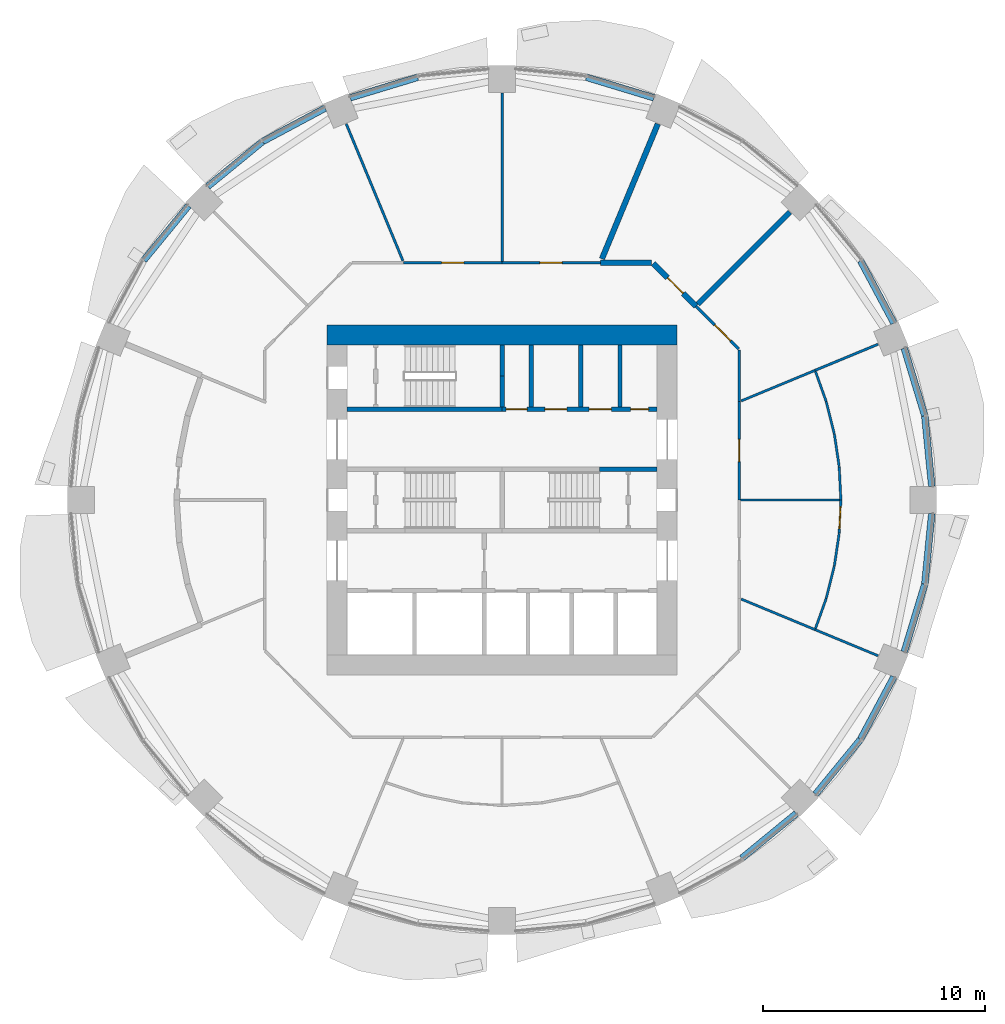
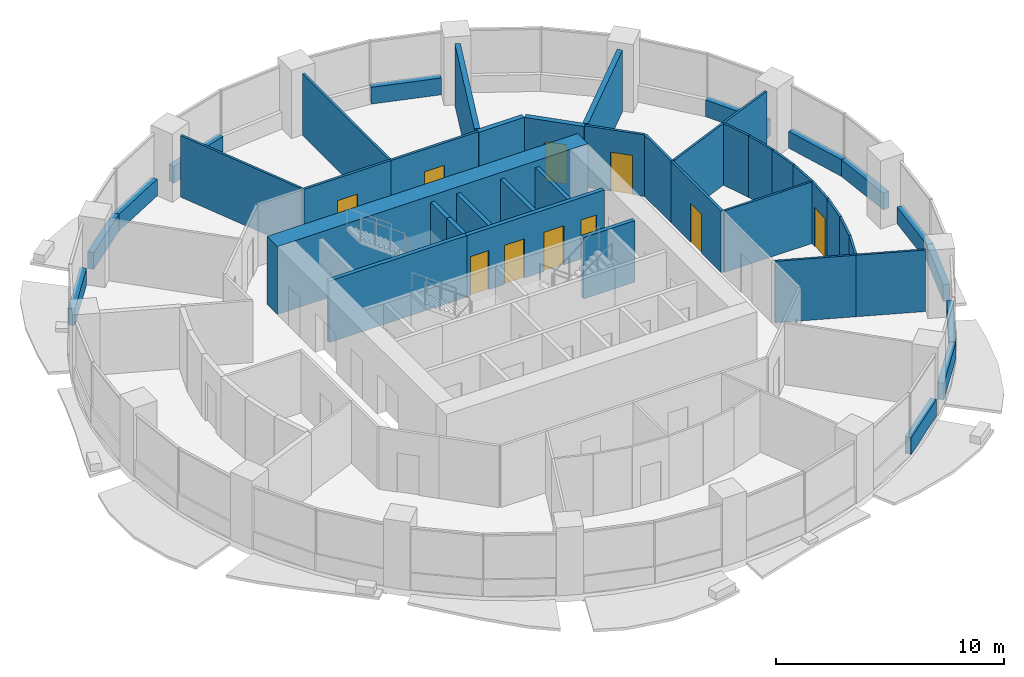
# One storey, part 10 of 15: 46 walls, 10 doors, 10 openings.
"""IFC4 building model written with IfcOpenShell, lengths in metres."""

from ifc_helpers import new_model, si_unit, direction, frame, frame_2d, origin, place, context, subcontext, project, spatial, rectangle, extrude, material, layer, layer_set, type_object, element, fill, save


model = new_model("IFC4")

# Units and contexts
model_context = context("Model", 3, precision=1e-05, world=origin(), true_north=direction((0.0, 1.0)))
body_context = subcontext(model_context, "Body", "Model", "MODEL_VIEW")
ifc_project = project(units=[si_unit("LENGTHUNIT", "METRE"), si_unit("AREAUNIT", "SQUARE_METRE"), si_unit("VOLUMEUNIT", "CUBIC_METRE"), si_unit("PLANEANGLEUNIT", "RADIAN"), si_unit("MASSUNIT", "GRAM", prefix="KILO")], contexts=[model_context])

# Site, building, storey
site_placement = place(None, origin())
site = spatial("IfcSite", under=ifc_project, at=site_placement, CompositionType="ELEMENT")
building_placement = place(site_placement, origin())
building = spatial("IfcBuilding", under=site, at=building_placement, Name="Polderwave Tower", CompositionType="ELEMENT")
storey_placement = place(building_placement, frame((0.0, 0.0, 62.699951171875)))
storey = spatial("IfcBuildingStorey", under=building, at=storey_placement, Name="L16", CompositionType="ELEMENT", Elevation=62.699951171875)

# Walls
ifc_material_1 = material(Name="Concrete C80/95", Category="concrete")
ifc_layer_1 = layer(ifc_material_1, 0.89990234375)
ifc_layer_set_1 = layer_set([ifc_layer_1], Name="CORE WALL 900 C80/95")
wall_type_1 = type_object("IfcWallType", Name="CORE WALL 900 C80/95", PredefinedType="SHEAR", material=ifc_layer_set_1)
wall_1_placement = place(storey_placement, frame((-7.8740234375, 7.424072265625, 0.0), z_axis=(0.0, 0.0, 1.0), x_axis=(1.0, 0.0, 0.0)))
element("IfcWall", 1, at=wall_1_placement, inside=storey, type_object=wall_type_1, Name="ST-CORE-L16-N", PredefinedType="SHEAR", context=body_context, shape_type="SweptSolid", body=[
    extrude(rectangle(XDim=15.748046875, YDim=0.89990234375, at=frame_2d((7.8740234375, 0.0))), origin(), (0.0, 0.0, 1.0), 3.650146484375),
])
ifc_material_2 = material(Name="Concrete C50/60 (board-marked)", Category="concrete")
ifc_layer_2 = layer(ifc_material_2, 0.300048828125)
ifc_layer_set_2 = layer_set([ifc_layer_2], Name="Concrete spandrel upstand C50/60")
wall_type_2 = type_object("IfcWallType", Name="Concrete spandrel upstand C50/60", PredefinedType="SOLIDWALL", material=ifc_layer_set_2)
wall_2_placement = place(storey_placement, frame((19.32958984375, 0.61279296875, 0.0), z_axis=(0.0, 0.0, 1.0), x_axis=(-0.098100807709, 0.995176482603, 0.0)))
element("IfcWall", 2, at=wall_2_placement, inside=storey, type_object=wall_type_2, Name="Spandrel L16 1a", PredefinedType="SOLIDWALL", context=body_context, shape_type="SweptSolid", body=[
    extrude(rectangle(XDim=3.170654296875, YDim=0.300048828125, at=frame_2d((1.58544921875, 0.0))), origin(), (0.0, 0.0, 1.0), 0.900146484375),
])
wall_3_placement = place(storey_placement, frame((19.0126953125, 3.79736328125, 0.0), z_axis=(0.0, 0.0, 1.0), x_axis=(-0.290456409527, 0.956888224489, 0.0)))
element("IfcWall", 3, at=wall_3_placement, inside=storey, type_object=wall_type_2, Name="Spandrel L16 1b", PredefinedType="SOLIDWALL", context=body_context, shape_type="SweptSolid", body=[
    extrude(rectangle(XDim=3.1689453125, YDim=0.300048828125, at=frame_2d((1.58447265625, 0.0))), origin(), (0.0, 0.0, 1.0), 0.900146484375),
])
wall_4_placement = place(storey_placement, frame((17.622802734375, 7.963134765625, 0.0), z_axis=(0.0, 0.0, 1.0), x_axis=(-0.47123575379, 0.882007292685, 0.0)))
element("IfcWall", 4, at=wall_4_placement, inside=storey, type_object=wall_type_2, Name="Spandrel L16 2a", PredefinedType="SOLIDWALL", context=body_context, shape_type="SweptSolid", body=[
    extrude(rectangle(XDim=3.169677734375, YDim=0.300048828125, at=frame_2d((1.5849609375, 0.0))), origin(), (0.0, 0.0, 1.0), 0.900146484375),
])
for number, where, z_axis, x_axis, name in (
    (5, (6.82958984375, 18.09228515625, 0.0), (0.0, 0.0, 1.0), (-0.956888224489, 0.290456409527, 0.0), "Spandrel L16 4a"),
    (6, (-3.79736328125, 19.0126953125, 0.0), (0.0, 0.0, 1.0), (-0.956888224489, -0.290456409527, 0.0), "Spandrel L16 5b"),
):
    element("IfcWall", number, at=place(storey_placement, frame(where, z_axis=z_axis, x_axis=x_axis)), inside=storey, type_object=wall_type_2, Name=name, PredefinedType="SOLIDWALL", context=body_context, shape_type="SweptSolid", body=[
        extrude(rectangle(XDim=3.1689453125, YDim=0.300048828125, at=frame_2d((1.58447265625, 0.0))), origin(), (0.0, 0.0, 1.0), 0.900146484375),
    ])
wall_5_placement = place(storey_placement, frame((-7.963134765625, 17.622802734375, 0.0), z_axis=(0.0, 0.0, 1.0), x_axis=(-0.882007292685, -0.47123575379, 0.0)))
element("IfcWall", 7, at=wall_5_placement, inside=storey, type_object=wall_type_2, Name="Spandrel L16 6a", PredefinedType="SOLIDWALL", context=body_context, shape_type="SweptSolid", body=[
    extrude(rectangle(XDim=3.169677734375, YDim=0.300048828125, at=frame_2d((1.5849609375, 0.0))), origin(), (0.0, 0.0, 1.0), 0.900146484375),
])
for number, where, z_axis, x_axis, name in (
    (8, (-10.78369140625, 16.112548828125, 0.0), (0.0, 0.0, 1.0), (-0.773198293788, -0.634164330819, 0.0), "Spandrel L16 6b"),
    (9, (-14.1025390625, 13.234375, 0.0), (0.0, 0.0, 1.0), (-0.634164330819, -0.773198293788, 0.0), "Spandrel L16 7a"),
    (10, (10.78369140625, -16.112548828125, 0.0), (0.0, 0.0, 1.0), (0.773198293788, 0.634164330819, 0.0), "Spandrel L16 14b"),
    (11, (14.1025390625, -13.234375, 0.0), (0.0, 0.0, 1.0), (0.634164330819, 0.773198293788, 0.0), "Spandrel L16 15a"),
):
    element("IfcWall", number, at=place(storey_placement, frame(where, z_axis=z_axis, x_axis=x_axis)), inside=storey, type_object=wall_type_2, Name=name, PredefinedType="SOLIDWALL", context=body_context, shape_type="SweptSolid", body=[
        extrude(rectangle(XDim=3.16943359375, YDim=0.300048828125, at=frame_2d((1.584716796875, 0.0))), origin(), (0.0, 0.0, 1.0), 0.900146484375),
    ])
wall_6_placement = place(storey_placement, frame((16.129150390625, -10.7587890625, 0.0), z_axis=(0.0, 0.0, 1.0), x_axis=(0.47123575379, 0.882007292685, 0.0)))
element("IfcWall", 12, at=wall_6_placement, inside=storey, type_object=wall_type_2, Name="Spandrel L16 15b", PredefinedType="SOLIDWALL", context=body_context, shape_type="SweptSolid", body=[
    extrude(rectangle(XDim=3.169677734375, YDim=0.300048828125, at=frame_2d((1.5849609375, 0.0))), origin(), (0.0, 0.0, 1.0), 0.900146484375),
])
wall_7_placement = place(storey_placement, frame((18.09228515625, -6.82958984375, 0.0), z_axis=(0.0, 0.0, 1.0), x_axis=(0.290456409527, 0.956888224489, 0.0)))
element("IfcWall", 13, at=wall_7_placement, inside=storey, type_object=wall_type_2, Name="Spandrel L16 16a", PredefinedType="SOLIDWALL", context=body_context, shape_type="SweptSolid", body=[
    extrude(rectangle(XDim=3.1689453125, YDim=0.300048828125, at=frame_2d((1.58447265625, 0.0))), origin(), (0.0, 0.0, 1.0), 0.900146484375),
])
wall_8_placement = place(storey_placement, frame((19.0185546875, -3.76806640625, 0.0), z_axis=(0.0, 0.0, 1.0), x_axis=(0.098100807709, 0.995176482603, 0.0)))
element("IfcWall", 14, at=wall_8_placement, inside=storey, type_object=wall_type_2, Name="Spandrel L16 16b", PredefinedType="SOLIDWALL", context=body_context, shape_type="SweptSolid", body=[
    extrude(rectangle(XDim=3.170654296875, YDim=0.300048828125, at=frame_2d((1.58544921875, 0.0))), origin(), (0.0, 0.0, 1.0), 0.900146484375),
])
ifc_material_3 = material(Name="Gypsum board partition")
ifc_layer_3 = layer(ifc_material_3, 0.199951171875)
ifc_layer_set_3 = layer_set([ifc_layer_3], Name="Core room partition 200")
wall_type_3 = type_object("IfcWallType", Name="Core room partition 200", PredefinedType="PARTITIONING", material=ifc_layer_set_3)
for number, where, z_axis, x_axis, name in (
    (15, (1.30712890625, 4.174072265625, 0.0), (0.0, 0.0, 1.0), (0.0, 1.0, 0.0), "L16 room partition N1"),
    (16, (3.537109375, 4.174072265625, 0.0), (0.0, 0.0, 1.0), (0.0, 1.0, 0.0), "L16 room partition N2"),
):
    element("IfcWall", number, at=place(storey_placement, frame(where, z_axis=z_axis, x_axis=x_axis)), inside=storey, type_object=wall_type_3, Name=name, PredefinedType="PARTITIONING", context=body_context, shape_type="SweptSolid", body=[
        extrude(rectangle(XDim=2.800048828125, YDim=0.199951171875, at=frame_2d((1.39990234375, 0.0))), origin(), (0.0, 0.0, 1.0), 3.300048828125),
    ])
ifc_material_4 = material(Name="Concrete C50/60", Category="concrete")
ifc_layer_4 = layer(ifc_material_4, 0.199951171875)
ifc_layer_set_4 = layer_set([ifc_layer_4], Name="Core web wall 200")
wall_type_4 = type_object("IfcWallType", Name="Core web wall 200", PredefinedType="SHEAR", material=ifc_layer_set_4)
wall_9_placement = place(storey_placement, frame((-6.97412109375, 4.073974609375, 0.0), z_axis=(0.0, 0.0, 1.0), x_axis=(1.0, 0.0, 0.0)))
element("IfcWall", 17, at=wall_9_placement, inside=storey, type_object=wall_type_4, Name="L16 north front wall 1", PredefinedType="SHEAR", context=body_context, shape_type="SweptSolid", body=[
    extrude(rectangle(XDim=6.97412109375, YDim=0.199951171875, at=frame_2d((3.487060546875, 0.0))), origin(), (0.0, 0.0, 1.0), 3.300048828125),
])

# Wall, openings, doors
wall_10_placement = place(storey_placement, frame((0.0, 4.073974609375, 0.0), z_axis=(0.0, 0.0, 1.0), x_axis=(1.0, 0.0, 0.0)))
wall_10 = element("IfcWall", 18, at=wall_10_placement, inside=storey, type_object=wall_type_4, Name="L16 north front wall 2", PredefinedType="SHEAR", context=body_context, shape_type="SweptSolid", body=[
    extrude(rectangle(XDim=6.97412109375, YDim=0.199951171875, at=frame_2d((3.487060546875, 0.0))), origin(), (0.0, 0.0, 1.0), 3.300048828125),
])
opening_1_placement = place(wall_10_placement, frame((0.1787109375, 0.0, 0.0)))
opening_1 = element("IfcOpeningElement", 19, at=opening_1_placement, cuts=wall_10, Name="Opening L16-D14", PredefinedType="OPENING", context=body_context, shape_type="SweptSolid", body=[
    extrude(rectangle(XDim=0.949951171875, YDim=2.10009765625, at=frame_2d((0.47509765625, 1.050048828125))), frame((0.0, 0.10986328125, 0.0), z_axis=(0.0, -1.0, 0.0), x_axis=(1.0, 0.0, 0.0)), (0.0, 0.0, 1.0), 0.219970703125),
])
opening_2_placement = place(wall_10_placement, frame((1.922119140625, 0.0, 0.0)))
opening_2 = element("IfcOpeningElement", 20, at=opening_2_placement, cuts=wall_10, Name="Opening L16-D15", PredefinedType="OPENING", context=body_context, shape_type="SweptSolid", body=[
    extrude(rectangle(XDim=1.0, YDim=2.10009765625, at=frame_2d((0.5, 1.050048828125))), frame((0.0, 0.10986328125, 0.0), z_axis=(0.0, -1.0, 0.0), x_axis=(1.0, 0.0, 0.0)), (0.0, 0.0, 1.0), 0.219970703125),
])
opening_3_placement = place(wall_10_placement, frame((3.921142578125, 0.0, 0.0)))
opening_3 = element("IfcOpeningElement", 21, at=opening_3_placement, cuts=wall_10, Name="Opening L16-D16", PredefinedType="OPENING", context=body_context, shape_type="SweptSolid", body=[
    extrude(rectangle(XDim=1.0, YDim=2.10009765625, at=frame_2d((0.5, 1.050048828125))), frame((0.0, 0.10986328125, 0.0), z_axis=(0.0, -1.0, 0.0), x_axis=(1.0, 0.0, 0.0)), (0.0, 0.0, 1.0), 0.219970703125),
])
opening_4_placement = place(wall_10_placement, frame((5.789794921875, 0.0, 0.0)))
opening_4 = element("IfcOpeningElement", 22, at=opening_4_placement, cuts=wall_10, Name="Opening L16-D17", PredefinedType="OPENING", context=body_context, shape_type="SweptSolid", body=[
    extrude(rectangle(XDim=0.800048828125, YDim=2.10009765625, at=frame_2d((0.39990234375, 1.050048828125))), frame((0.0, 0.10986328125, 0.0), z_axis=(0.0, -1.0, 0.0), x_axis=(1.0, 0.0, 0.0)), (0.0, 0.0, 1.0), 0.219970703125),
])
ifc_material_5 = material(Name="Steel fire door", Category="steel")
door_type_1 = type_object("IfcDoorType", Name="Riser door 800", OperationType="NOTDEFINED", PredefinedType="DOOR", material=ifc_material_5)
door_1_placement = place(opening_4_placement, frame((0.800048828125, 0.0, 0.0), z_axis=(0.0, 0.0, 1.0), x_axis=(-1.0, 0.0, 0.0)))
door_1 = element("IfcDoor", 23, at=door_1_placement, inside=storey, type_object=door_type_1, Name="Riser door", OperationType="SINGLE_SWING_LEFT", OverallHeight=2.10009765625, OverallWidth=0.800048828125, PredefinedType="DOOR", context=body_context, shape_type="SweptSolid", body=[
    extrude(rectangle(XDim=0.800048828125, YDim=2.10009765625, at=frame_2d((0.39990234375, 1.050048828125))), frame((0.0, 0.02490234375, 0.0), z_axis=(0.0, -1.0, 0.0), x_axis=(1.0, 0.0, 0.0)), (0.0, 0.0, 1.0), 0.050048828125),
])
fill(opening_4, door_1)
ifc_material_6 = material(Name="Timber door leaf", Category="wood")
door_type_2 = type_object("IfcDoorType", Name="Room door 1000", OperationType="NOTDEFINED", PredefinedType="DOOR", material=ifc_material_6)
door_2_placement = place(opening_2_placement, origin())
door_2 = element("IfcDoor", 24, at=door_2_placement, inside=storey, type_object=door_type_2, Name="Refuse store door", OperationType="SINGLE_SWING_LEFT", OverallHeight=2.10009765625, OverallWidth=1.0, PredefinedType="DOOR", context=body_context, shape_type="SweptSolid", body=[
    extrude(rectangle(XDim=1.0, YDim=2.10009765625, at=frame_2d((0.5, 1.050048828125))), frame((0.0, 0.02490234375, 0.0), z_axis=(0.0, -1.0, 0.0), x_axis=(1.0, 0.0, 0.0)), (0.0, 0.0, 1.0), 0.050048828125),
])
fill(opening_2, door_2)
door_3_placement = place(opening_3_placement, origin())
door_3 = element("IfcDoor", 25, at=door_3_placement, inside=storey, type_object=door_type_2, Name="Staff WC door", OperationType="SINGLE_SWING_RIGHT", OverallHeight=2.10009765625, OverallWidth=1.0, PredefinedType="DOOR", context=body_context, shape_type="SweptSolid", body=[
    extrude(rectangle(XDim=1.0, YDim=2.10009765625, at=frame_2d((0.5, 1.050048828125))), frame((0.0, 0.02490234375, 0.0), z_axis=(0.0, -1.0, 0.0), x_axis=(1.0, 0.0, 0.0)), (0.0, 0.0, 1.0), 0.050048828125),
])
fill(opening_3, door_3)
door_type_3 = type_object("IfcDoorType", Name="Room door 950", OperationType="NOTDEFINED", PredefinedType="DOOR", material=ifc_material_6)
door_4_placement = place(opening_1_placement, origin())
door_4 = element("IfcDoor", 26, at=door_4_placement, inside=storey, type_object=door_type_3, Name="Seedling preparation room door", OperationType="SINGLE_SWING_LEFT", OverallHeight=2.10009765625, OverallWidth=0.949951171875, PredefinedType="DOOR", context=body_context, shape_type="SweptSolid", body=[
    extrude(rectangle(XDim=0.949951171875, YDim=2.10009765625, at=frame_2d((0.47509765625, 1.050048828125))), frame((0.0, 0.02490234375, 0.0), z_axis=(0.0, -1.0, 0.0), x_axis=(1.0, 0.0, 0.0)), (0.0, 0.0, 1.0), 0.050048828125),
])
fill(opening_1, door_4)

# Walls
wall_11_placement = place(storey_placement, frame((4.3740234375, 1.375, 0.0), z_axis=(0.0, 0.0, 1.0), x_axis=(1.0, 0.0, 0.0)))
element("IfcWall", 27, at=wall_11_placement, inside=storey, type_object=wall_type_4, Name="L16 north stair wall 4", PredefinedType="SHEAR", context=body_context, shape_type="SweptSolid", body=[
    extrude(rectangle(XDim=2.60009765625, YDim=0.199951171875, at=frame_2d((1.300048828125, 0.0))), origin(), (0.0, 0.0, 1.0), 3.300048828125),
])
wall_12_placement = place(storey_placement, frame((0.0, 4.174072265625, 0.0), z_axis=(0.0, 0.0, 1.0), x_axis=(0.0, 1.0, 0.0)))
element("IfcWall", 28, at=wall_12_placement, inside=storey, type_object=wall_type_4, Name="L16 stair C wall south", PredefinedType="SHEAR", context=body_context, shape_type="SweptSolid", body=[
    extrude(rectangle(XDim=1.39990234375, YDim=0.199951171875, at=frame_2d((0.699951171875, 0.0))), origin(), (0.0, 0.0, 1.0), 3.300048828125),
])
wall_13_placement = place(storey_placement, frame((0.0, 5.573974609375, 0.0), z_axis=(0.0, 0.0, 1.0), x_axis=(0.0, 1.0, 0.0)))
element("IfcWall", 29, at=wall_13_placement, inside=storey, type_object=wall_type_4, Name="L16 stair C wall north", PredefinedType="SHEAR", context=body_context, shape_type="SweptSolid", body=[
    extrude(rectangle(XDim=1.400146484375, YDim=0.199951171875, at=frame_2d((0.7001953125, 0.0))), origin(), (0.0, 0.0, 1.0), 3.300048828125),
])

# Wall, opening, door
ifc_material_7 = material(Name="Fire-resisting board on steel studs", Category="steel")
ifc_layer_5 = layer(ifc_material_7, 0.125)
ifc_layer_set_5 = layer_set([ifc_layer_5], Name="Corridor wall 125 mm EI 60")
wall_type_5 = type_object("IfcWallType", Name="Corridor wall 125 mm EI 60", PredefinedType="PARTITIONING", material=ifc_layer_set_5)
wall_14_placement = place(storey_placement, frame((10.674072265625, 4.42138671875, 0.0), z_axis=(0.0, 0.0, 1.0), x_axis=(0.0, -1.0, 0.0)))
wall_14 = element("IfcWall", 30, at=wall_14_placement, inside=storey, type_object=wall_type_5, Name="IN-L16-W001", PredefinedType="PARTITIONING", context=body_context, shape_type="SweptSolid", body=[
    extrude(rectangle(XDim=4.42138671875, YDim=0.125, at=frame_2d((2.210693359375, 0.0))), origin(), (0.0, 0.0, 1.0), 3.300048828125),
])
opening_5_placement = place(wall_14_placement, frame((1.699951171875, 0.0, 0.0)))
opening_5 = element("IfcOpeningElement", 31, at=opening_5_placement, cuts=wall_14, Name="Opening L16-D50", PredefinedType="OPENING", context=body_context, shape_type="SweptSolid", body=[
    extrude(rectangle(XDim=1.0, YDim=2.10009765625, at=frame_2d((0.5, 1.050048828125))), frame((0.0, 0.072509765625, 0.0), z_axis=(0.0, -1.0, 0.0), x_axis=(1.0, 0.0, 0.0)), (0.0, 0.0, 1.0), 0.14501953125),
])
ifc_material_8 = material(Name="Timber fire door leaf", Category="wood")
door_type_4 = type_object("IfcDoorType", Name="Fire door FD30S 1000 x 2100", OperationType="NOTDEFINED", PredefinedType="DOOR", material=ifc_material_8)
door_5_placement = place(opening_5_placement, origin())
door_5 = element("IfcDoor", 32, at=door_5_placement, inside=storey, type_object=door_type_4, Name="Door L16-D50", OperationType="SINGLE_SWING_LEFT", OverallHeight=2.10009765625, OverallWidth=1.0, PredefinedType="DOOR", context=body_context, shape_type="SweptSolid", body=[
    extrude(rectangle(XDim=1.0, YDim=2.10009765625, at=frame_2d((0.5, 1.050048828125))), frame((0.0, 0.02490234375, 0.0), z_axis=(0.0, -1.0, 0.0), x_axis=(1.0, 0.0, 0.0)), (0.0, 0.0, 1.0), 0.050048828125),
])
fill(opening_5, door_5)

wall_15_placement = place(storey_placement, frame((8.722412109375, 8.722412109375, 0.0), z_axis=(0.0, 0.0, 1.0), x_axis=(0.707151428813, -0.707062130741, 0.0)))
wall_15 = element("IfcWall", 33, at=wall_15_placement, inside=storey, type_object=wall_type_5, Name="IN-L16-W002", PredefinedType="PARTITIONING", context=body_context, shape_type="SweptSolid", body=[
    extrude(rectangle(XDim=2.73388671875, YDim=0.125, at=frame_2d((1.366943359375, 0.0))), origin(), (0.0, 0.0, 1.0), 3.300048828125),
])
opening_6_placement = place(wall_15_placement, frame((1.199951171875, 0.0, 0.0)))
opening_6 = element("IfcOpeningElement", 34, at=opening_6_placement, cuts=wall_15, Name="Opening L16-D51", PredefinedType="OPENING", context=body_context, shape_type="SweptSolid", body=[
    extrude(rectangle(XDim=1.0, YDim=2.10009765625, at=frame_2d((0.5, 1.050048828125))), frame((0.0, 0.072509765625, 0.0), z_axis=(0.0, -1.0, 0.0), x_axis=(1.0, 0.0, 0.0)), (0.0, 0.0, 1.0), 0.14501953125),
])
door_6_placement = place(opening_6_placement, origin())
door_6 = element("IfcDoor", 35, at=door_6_placement, inside=storey, type_object=door_type_4, Name="Door L16-D51", OperationType="SINGLE_SWING_RIGHT", OverallHeight=2.10009765625, OverallWidth=1.0, PredefinedType="DOOR", context=body_context, shape_type="SweptSolid", body=[
    extrude(rectangle(XDim=1.0, YDim=2.10009765625, at=frame_2d((0.5, 1.050048828125))), frame((0.0, 0.02490234375, 0.0), z_axis=(0.0, -1.0, 0.0), x_axis=(1.0, 0.0, 0.0)), (0.0, 0.0, 1.0), 0.050048828125),
])
fill(opening_6, door_6)

# Wall
wall_16_placement = place(storey_placement, frame((10.674072265625, 6.7451171875, 0.0), z_axis=(0.0, 0.0, 1.0), x_axis=(0.0, -1.0, 0.0)))
element("IfcWall", 36, at=wall_16_placement, inside=storey, type_object=wall_type_5, Name="IN-L16-W003", PredefinedType="PARTITIONING", context=body_context, shape_type="SweptSolid", body=[
    extrude(rectangle(XDim=2.32373046875, YDim=0.125, at=frame_2d((1.161865234375, 0.0))), origin(), (0.0, 0.0, 1.0), 3.300048828125),
])

# Wall, opening, door
wall_17_placement = place(storey_placement, frame((0.0, 10.674072265625, 0.0), z_axis=(0.0, 0.0, 1.0), x_axis=(1.0, 0.0, 0.0)))
wall_17 = element("IfcWall", 37, at=wall_17_placement, inside=storey, type_object=wall_type_5, Name="IN-L16-W009", PredefinedType="PARTITIONING", context=body_context, shape_type="SweptSolid", body=[
    extrude(rectangle(XDim=4.42138671875, YDim=0.125, at=frame_2d((2.210693359375, 0.0))), origin(), (0.0, 0.0, 1.0), 3.300048828125),
])
opening_7_placement = place(wall_17_placement, frame((1.699951171875, 0.0, 0.0)))
opening_7 = element("IfcOpeningElement", 38, at=opening_7_placement, cuts=wall_17, Name="Opening L16-D55", PredefinedType="OPENING", context=body_context, shape_type="SweptSolid", body=[
    extrude(rectangle(XDim=1.0, YDim=2.10009765625, at=frame_2d((0.5, 1.050048828125))), frame((0.0, 0.072509765625, 0.0), z_axis=(0.0, -1.0, 0.0), x_axis=(1.0, 0.0, 0.0)), (0.0, 0.0, 1.0), 0.14501953125),
])
door_7_placement = place(opening_7_placement, origin())
door_7 = element("IfcDoor", 39, at=door_7_placement, inside=storey, type_object=door_type_4, Name="Door L16-D55", OperationType="SINGLE_SWING_LEFT", OverallHeight=2.10009765625, OverallWidth=1.0, PredefinedType="DOOR", context=body_context, shape_type="SweptSolid", body=[
    extrude(rectangle(XDim=1.0, YDim=2.10009765625, at=frame_2d((0.5, 1.050048828125))), frame((0.0, 0.02490234375, 0.0), z_axis=(0.0, -1.0, 0.0), x_axis=(1.0, 0.0, 0.0)), (0.0, 0.0, 1.0), 0.050048828125),
])
fill(opening_7, door_7)

wall_18_placement = place(storey_placement, frame((-4.42138671875, 10.674072265625, 0.0), z_axis=(0.0, 0.0, 1.0), x_axis=(1.0, 0.0, 0.0)))
wall_18 = element("IfcWall", 40, at=wall_18_placement, inside=storey, type_object=wall_type_5, Name="IN-L16-W010", PredefinedType="PARTITIONING", context=body_context, shape_type="SweptSolid", body=[
    extrude(rectangle(XDim=4.42138671875, YDim=0.125, at=frame_2d((2.210693359375, 0.0))), origin(), (0.0, 0.0, 1.0), 3.300048828125),
])
opening_8_placement = place(wall_18_placement, frame((1.699951171875, 0.0, 0.0)))
opening_8 = element("IfcOpeningElement", 41, at=opening_8_placement, cuts=wall_18, Name="Opening L16-D56", PredefinedType="OPENING", context=body_context, shape_type="SweptSolid", body=[
    extrude(rectangle(XDim=1.0, YDim=2.10009765625, at=frame_2d((0.5, 1.050048828125))), frame((0.0, 0.072509765625, 0.0), z_axis=(0.0, -1.0, 0.0), x_axis=(1.0, 0.0, 0.0)), (0.0, 0.0, 1.0), 0.14501953125),
])
door_8_placement = place(opening_8_placement, origin())
door_8 = element("IfcDoor", 42, at=door_8_placement, inside=storey, type_object=door_type_4, Name="Door L16-D56", OperationType="SINGLE_SWING_LEFT", OverallHeight=2.10009765625, OverallWidth=1.0, PredefinedType="DOOR", context=body_context, shape_type="SweptSolid", body=[
    extrude(rectangle(XDim=1.0, YDim=2.10009765625, at=frame_2d((0.5, 1.050048828125))), frame((0.0, 0.02490234375, 0.0), z_axis=(0.0, -1.0, 0.0), x_axis=(1.0, 0.0, 0.0)), (0.0, 0.0, 1.0), 0.050048828125),
])
fill(opening_8, door_8)

# Walls
ifc_material_9 = material(Name="Moisture-resistant board on steel studs, tiled", Category="steel")
ifc_layer_6 = layer(ifc_material_9, 0.10498046875)
ifc_layer_set_6 = layer_set([ifc_layer_6], Name="Partition 105 mm wet room board and tile")
wall_type_6 = type_object("IfcWallType", Name="Partition 105 mm wet room board and tile", PredefinedType="PARTITIONING", material=ifc_layer_set_6)
wall_19_placement = place(storey_placement, frame((14.099365234375, 5.77783203125, 0.0), z_axis=(0.0, 0.0, 1.0), x_axis=(0.336918127064, -0.941533948222, 0.0)))
element("IfcWall", 43, at=wall_19_placement, inside=storey, type_object=wall_type_6, Name="IN-L16-W024", PredefinedType="PARTITIONING", context=body_context, shape_type="SweptSolid", body=[
    extrude(rectangle(XDim=1.435546875, YDim=0.10498046875, at=frame_2d((0.7177734375, 0.0))), origin(), (0.0, 0.0, 1.0), 3.300048828125),
])
for number, where, z_axis, x_axis, name in (
    (44, (14.58447265625, 4.42138671875, 0.0), (0.0, 0.0, 1.0), (0.242921026588, -0.970046068412, 0.0), "IN-L16-W025"),
    (45, (14.947509765625, 2.970703125, 0.0), (0.0, 0.0, 1.0), (0.146762363652, -0.989171779124, 0.0), "IN-L16-W026"),
):
    element("IfcWall", number, at=place(storey_placement, frame(where, z_axis=z_axis, x_axis=x_axis)), inside=storey, type_object=wall_type_6, Name=name, PredefinedType="PARTITIONING", context=body_context, shape_type="SweptSolid", body=[
        extrude(rectangle(XDim=1.490478515625, YDim=0.10498046875, at=frame_2d((0.7451171875, 0.0))), origin(), (0.0, 0.0, 1.0), 3.300048828125),
    ])
wall_20_placement = place(storey_placement, frame((15.166748046875, 1.4912109375, 0.0), z_axis=(0.0, 0.0, 1.0), x_axis=(0.049056777577, -0.998795991469, 0.0)))
element("IfcWall", 46, at=wall_20_placement, inside=storey, type_object=wall_type_6, Name="IN-L16-W027", PredefinedType="PARTITIONING", context=body_context, shape_type="SweptSolid", body=[
    extrude(rectangle(XDim=1.492919921875, YDim=0.10498046875, at=frame_2d((0.74658203125, 0.0))), origin(), (0.0, 0.0, 1.0), 3.300048828125),
])
wall_21_placement = place(storey_placement, frame((10.756591796875, 4.45556640625, 0.0), z_axis=(0.0, 0.0, 1.0), x_axis=(0.923886131731, 0.382667500051, 0.0)))
element("IfcWall", 47, at=wall_21_placement, inside=storey, type_object=wall_type_6, Name="IN-L16-W028", PredefinedType="PARTITIONING", context=body_context, shape_type="SweptSolid", body=[
    extrude(rectangle(XDim=3.596923828125, YDim=0.10498046875, at=frame_2d((1.79833984375, 0.0))), origin(), (0.0, 0.0, 1.0), 3.300048828125),
])
wall_22_placement = place(storey_placement, frame((15.184814453125, 0.0, 0.0), z_axis=(0.0, 0.0, 1.0), x_axis=(-1.0, 0.0, 0.0)))
element("IfcWall", 48, at=wall_22_placement, inside=storey, type_object=wall_type_6, Name="IN-L16-W029", PredefinedType="PARTITIONING", context=body_context, shape_type="SweptSolid", body=[
    extrude(rectangle(XDim=4.4482421875, YDim=0.10498046875, at=frame_2d((2.22412109375, 0.0))), origin(), (0.0, 0.0, 1.0), 3.300048828125),
])
wall_23_placement = place(storey_placement, frame((16.916259765625, -7.007080078125, 0.0), z_axis=(0.0, 0.0, 1.0), x_axis=(-0.923860783753, 0.382728692736, 0.0)))
element("IfcWall", 49, at=wall_23_placement, inside=storey, type_object=wall_type_6, Name="IN-L16-W031", PredefinedType="PARTITIONING", context=body_context, shape_type="SweptSolid", body=[
    extrude(rectangle(XDim=3.070068359375, YDim=0.10498046875, at=frame_2d((1.53515625, 0.0))), origin(), (0.0, 0.0, 1.0), 3.300048828125),
])
wall_24_placement = place(storey_placement, frame((14.098388671875, -5.7802734375, 0.0), z_axis=(0.0, 0.0, 1.0), x_axis=(0.336981574949, 0.941511241646, 0.0)))
element("IfcWall", 50, at=wall_24_placement, inside=storey, type_object=wall_type_6, Name="IN-L16-W032", PredefinedType="PARTITIONING", context=body_context, shape_type="SweptSolid", body=[
    extrude(rectangle(XDim=1.438232421875, YDim=0.10498046875, at=frame_2d((0.71923828125, 0.0))), origin(), (0.0, 0.0, 1.0), 3.300048828125),
])
for number, where, z_axis, x_axis, name in (
    (51, (14.58447265625, -4.42138671875, 0.0), (0.0, 0.0, 1.0), (0.242921026588, 0.970046068412, 0.0), "IN-L16-W033"),
    (52, (14.947509765625, -2.970703125, 0.0), (0.0, 0.0, 1.0), (0.146762363652, 0.989171779124, 0.0), "IN-L16-W034"),
):
    element("IfcWall", number, at=place(storey_placement, frame(where, z_axis=z_axis, x_axis=x_axis)), inside=storey, type_object=wall_type_6, Name=name, PredefinedType="PARTITIONING", context=body_context, shape_type="SweptSolid", body=[
        extrude(rectangle(XDim=1.490478515625, YDim=0.10498046875, at=frame_2d((0.7451171875, 0.0))), origin(), (0.0, 0.0, 1.0), 3.300048828125),
    ])

# Wall, opening, door
wall_25_placement = place(storey_placement, frame((15.239990234375, 0.0, 0.0), z_axis=(0.0, 0.0, 1.0), x_axis=(-0.049056777577, -0.998795991469, 0.0)))
wall_25 = element("IfcWall", 53, at=wall_25_placement, inside=storey, type_object=wall_type_6, Name="IN-L16-W035", PredefinedType="PARTITIONING", context=body_context, shape_type="SweptSolid", body=[
    extrude(rectangle(XDim=1.492919921875, YDim=0.10498046875, at=frame_2d((0.74658203125, 0.0))), origin(), (0.0, 0.0, 1.0), 3.300048828125),
])
opening_9_placement = place(wall_25_placement, frame((0.300048828125, 0.0, 0.0)))
opening_9 = element("IfcOpeningElement", 54, at=opening_9_placement, cuts=wall_25, Name="Opening L16-D64", PredefinedType="OPENING", context=body_context, shape_type="SweptSolid", body=[
    extrude(rectangle(XDim=1.0, YDim=2.10009765625, at=frame_2d((0.5, 1.050048828125))), frame((0.0, 0.0625, 0.0), z_axis=(0.0, -1.0, 0.0), x_axis=(1.0, 0.0, 0.0)), (0.0, 0.0, 1.0), 0.125),
])
ifc_material_10 = material(Name="Timber veneer door leaf", Category="wood")
door_type_5 = type_object("IfcDoorType", Name="Single door 1000 x 2100", OperationType="NOTDEFINED", PredefinedType="DOOR", material=ifc_material_10)
door_9_placement = place(opening_9_placement, origin())
door_9 = element("IfcDoor", 55, at=door_9_placement, inside=storey, type_object=door_type_5, Name="Door L16-D64", OperationType="SINGLE_SWING_RIGHT", OverallHeight=2.10009765625, OverallWidth=1.0, PredefinedType="DOOR", context=body_context, shape_type="SweptSolid", body=[
    extrude(rectangle(XDim=1.0, YDim=2.10009765625, at=frame_2d((0.5, 1.050048828125))), frame((0.0, 0.02490234375, 0.0), z_axis=(0.0, -1.0, 0.0), x_axis=(1.0, 0.0, 0.0)), (0.0, 0.0, 1.0), 0.050048828125),
])
fill(opening_9, door_9)

# Walls
wall_26_placement = place(storey_placement, frame((10.756591796875, -4.45556640625, 0.0), z_axis=(0.0, 0.0, 1.0), x_axis=(0.923886131731, -0.382667500051, 0.0)))
element("IfcWall", 56, at=wall_26_placement, inside=storey, type_object=wall_type_6, Name="IN-L16-W064", PredefinedType="PARTITIONING", context=body_context, shape_type="SweptSolid", body=[
    extrude(rectangle(XDim=3.596923828125, YDim=0.10498046875, at=frame_2d((1.79833984375, 0.0))), origin(), (0.0, 0.0, 1.0), 3.300048828125),
])
ifc_material_11 = material(Name="Acoustic double plasterboard on steel studs", Category="steel")
ifc_layer_7 = layer(ifc_material_11, 0.110107421875)
ifc_layer_set_7 = layer_set([ifc_layer_7], Name="Partition 110 mm acoustic double board")
wall_type_7 = type_object("IfcWallType", Name="Partition 110 mm acoustic double board", PredefinedType="PARTITIONING", material=ifc_layer_set_7)
wall_27_placement = place(storey_placement, frame((14.079833984375, 5.83203125, 0.0), z_axis=(0.0, 0.0, 1.0), x_axis=(0.923860783753, 0.382728692736, 0.0)))
element("IfcWall", 57, at=wall_27_placement, inside=storey, type_object=wall_type_7, Name="IN-L16-W030", PredefinedType="PARTITIONING", context=body_context, shape_type="SweptSolid", body=[
    extrude(rectangle(XDim=3.070068359375, YDim=0.110107421875, at=frame_2d((1.53515625, 0.0))), origin(), (0.0, 0.0, 1.0), 3.300048828125),
])
wall_28_placement = place(storey_placement, frame((0.0, 10.736572265625, 0.0), z_axis=(0.0, 0.0, 1.0), x_axis=(0.0, 1.0, 0.0)))
element("IfcWall", 58, at=wall_28_placement, inside=storey, type_object=wall_type_7, Name="IN-L16-W038", PredefinedType="PARTITIONING", context=body_context, shape_type="SweptSolid", body=[
    extrude(rectangle(XDim=7.573486328125, YDim=0.110107421875, at=frame_2d((3.78662109375, 0.0))), origin(), (0.0, 0.0, 1.0), 3.300048828125),
])
wall_29_placement = place(storey_placement, frame((-4.455810546875, 10.757568359375, 0.0), z_axis=(0.0, 0.0, 1.0), x_axis=(-0.382716213896, 0.923865953275, 0.0)))
element("IfcWall", 59, at=wall_29_placement, inside=storey, type_object=wall_type_7, Name="IN-L16-W039", PredefinedType="PARTITIONING", context=body_context, shape_type="SweptSolid", body=[
    extrude(rectangle(XDim=6.666259765625, YDim=0.110107421875, at=frame_2d((3.3330078125, 0.0))), origin(), (0.0, 0.0, 1.0), 3.300048828125),
])
ifc_material_12 = material(Name="Fire-resisting board on steel studs, mineral wool", Category="steel")
ifc_layer_8 = layer(ifc_material_12, 0.25)
ifc_layer_set_8 = layer_set([ifc_layer_8], Name="Plant room wall 250 mm EI 120")
wall_type_8 = type_object("IfcWallType", Name="Plant room wall 250 mm EI 120", PredefinedType="PARTITIONING", material=ifc_layer_set_8)
wall_30_placement = place(storey_placement, frame((4.42138671875, 10.674072265625, 0.0), z_axis=(0.0, 0.0, 1.0), x_axis=(1.0, 0.0, 0.0)))
element("IfcWall", 60, at=wall_30_placement, inside=storey, type_object=wall_type_8, Name="IN-L16-W007", PredefinedType="PARTITIONING", context=body_context, shape_type="SweptSolid", body=[
    extrude(rectangle(XDim=2.2978515625, YDim=0.25, at=frame_2d((1.14892578125, 0.0))), origin(), (0.0, 0.0, 1.0), 3.300048828125),
])

# Wall, opening, door
wall_31_placement = place(storey_placement, frame((6.8076171875, 10.637451171875, 0.0), z_axis=(0.0, 0.0, 1.0), x_axis=(0.707061703777, -0.707151855722, 0.0)))
wall_31 = element("IfcWall", 61, at=wall_31_placement, inside=storey, type_object=wall_type_8, Name="IN-L16-W008", PredefinedType="PARTITIONING", context=body_context, shape_type="SweptSolid", body=[
    extrude(rectangle(XDim=2.7080078125, YDim=0.25, at=frame_2d((1.35400390625, 0.0))), origin(), (0.0, 0.0, 1.0), 3.300048828125),
])
opening_10_placement = place(wall_31_placement, frame((0.89990234375, 0.0, 0.0)))
opening_10 = element("IfcOpeningElement", 62, at=opening_10_placement, cuts=wall_31, Name="Opening L16-D54", PredefinedType="OPENING", context=body_context, shape_type="SweptSolid", body=[
    extrude(rectangle(XDim=1.0, YDim=2.10009765625, at=frame_2d((0.5, 1.050048828125))), frame((0.0, 0.135009765625, 0.0), z_axis=(0.0, -1.0, 0.0), x_axis=(1.0, 0.0, 0.0)), (0.0, 0.0, 1.0), 0.27001953125),
])
ifc_material_13 = material(Name="Steel plant door leaf", Category="steel")
door_type_6 = type_object("IfcDoorType", Name="Plant door FD60 1000 x 2100 steel", OperationType="NOTDEFINED", PredefinedType="DOOR", material=ifc_material_13)
door_10_placement = place(opening_10_placement, origin())
door_10 = element("IfcDoor", 63, at=door_10_placement, inside=storey, type_object=door_type_6, Name="Door L16-D54", OperationType="SINGLE_SWING_RIGHT", OverallHeight=2.10009765625, OverallWidth=1.0, PredefinedType="DOOR", context=body_context, shape_type="SweptSolid", body=[
    extrude(rectangle(XDim=1.0, YDim=2.10009765625, at=frame_2d((0.5, 1.050048828125))), frame((0.0, 0.02490234375, 0.0), z_axis=(0.0, -1.0, 0.0), x_axis=(1.0, 0.0, 0.0)), (0.0, 0.0, 1.0), 0.050048828125),
])
fill(opening_10, door_10)

# Walls
wall_32_placement = place(storey_placement, frame((12.947021484375, 12.947021484375, 0.0), z_axis=(0.0, 0.0, 1.0), x_axis=(-0.707106781187, -0.707106781187, 0.0)))
element("IfcWall", 64, at=wall_32_placement, inside=storey, type_object=wall_type_8, Name="IN-L16-W036", PredefinedType="PARTITIONING", context=body_context, shape_type="SweptSolid", body=[
    extrude(rectangle(XDim=5.849609375, YDim=0.25, at=frame_2d((2.9248046875, 0.0))), origin(), (0.0, 0.0, 1.0), 3.300048828125),
])
wall_33_placement = place(storey_placement, frame((4.492919921875, 10.8466796875, 0.0), z_axis=(0.0, 0.0, 1.0), x_axis=(0.382690938, 0.92387642354, 0.0)))
element("IfcWall", 65, at=wall_33_placement, inside=storey, type_object=wall_type_8, Name="IN-L16-W037", PredefinedType="PARTITIONING", context=body_context, shape_type="SweptSolid", body=[
    extrude(rectangle(XDim=6.569580078125, YDim=0.25, at=frame_2d((3.28466796875, 0.0))), origin(), (0.0, 0.0, 1.0), 3.300048828125),
])
ifc_material_14 = material(Name="Gypsum shaft wall system")
ifc_layer_9 = layer(ifc_material_14, 0.199951171875)
ifc_layer_set_9 = layer_set([ifc_layer_9], Name="Shaft wall 200")
wall_type_9 = type_object("IfcWallType", Name="Shaft wall 200", PredefinedType="PARTITIONING", material=ifc_layer_set_9)
wall_34_placement = place(storey_placement, frame((5.305419921875, 4.174072265625, 0.0), z_axis=(0.0, 0.0, 1.0), x_axis=(0.0, 1.0, 0.0)))
element("IfcWall", 66, at=wall_34_placement, inside=storey, type_object=wall_type_9, Name="L16 riser wall", PredefinedType="PARTITIONING", context=body_context, shape_type="SweptSolid", body=[
    extrude(rectangle(XDim=2.800048828125, YDim=0.199951171875, at=frame_2d((1.39990234375, 0.0))), origin(), (0.0, 0.0, 1.0), 3.300048828125),
])

save(model, "model.ifc")
